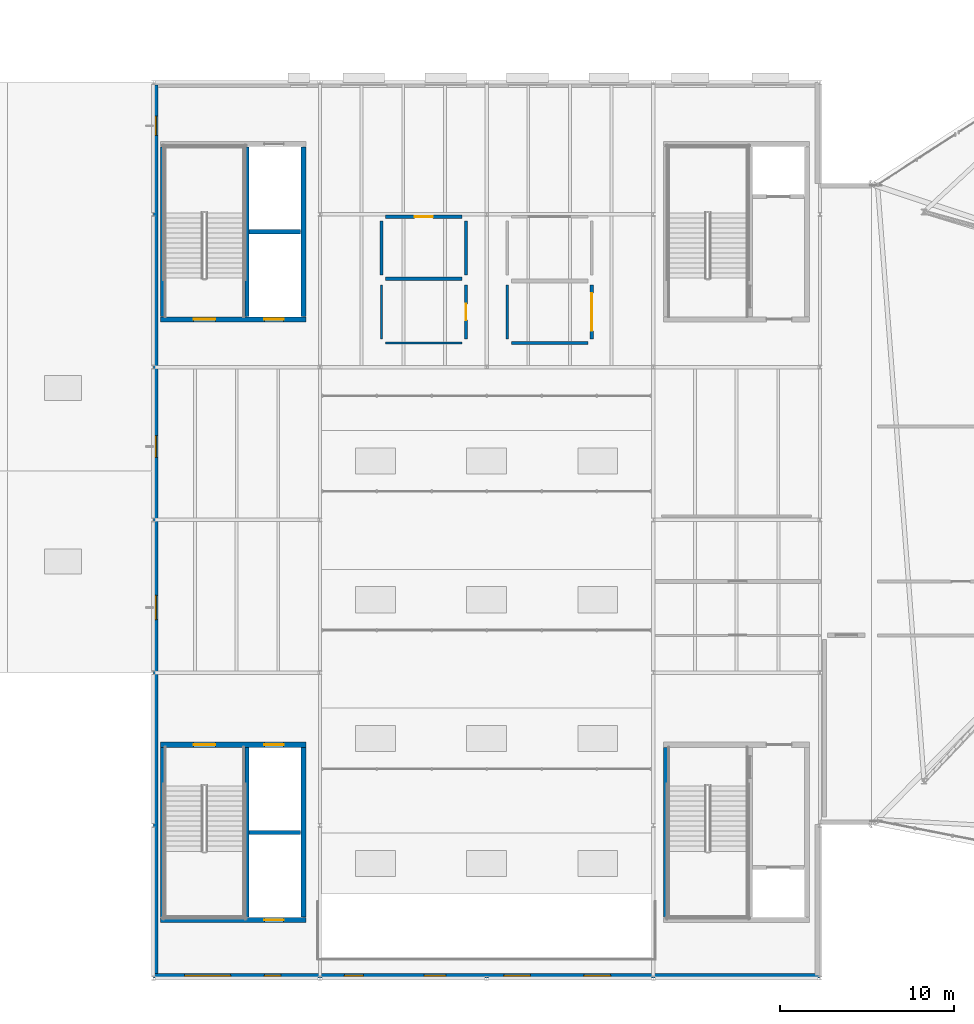
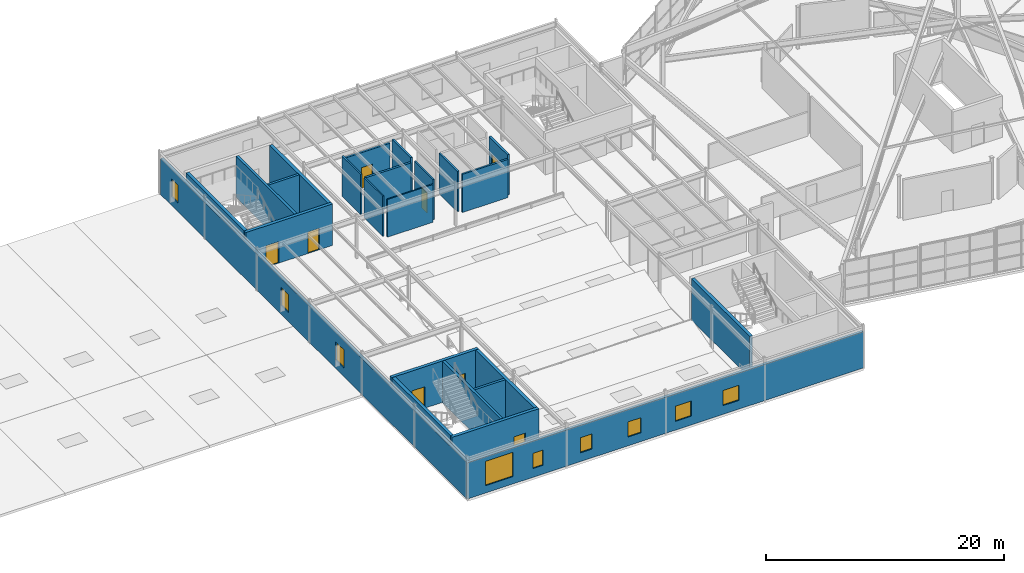
# One storey, part 41 of 50: 24 walls, 9 windows, 8 doors, 17 openings.
"""IFC4 building model written with IfcOpenShell, lengths in metres."""

from ifc_helpers import new_model, si_unit, direction, frame, frame_2d, origin, place, context, subcontext, project, spatial, rectangle, extrude, material, layer, layer_set, type_object, element, fill, save


model = new_model("IFC4")

# Units and contexts
model_context = context("Model", 3, precision=1e-05, world=origin(), true_north=direction((0.0, 1.0)))
body_context = subcontext(model_context, "Body", "Model", "MODEL_VIEW")
ifc_project = project(units=[si_unit("LENGTHUNIT", "METRE"), si_unit("AREAUNIT", "SQUARE_METRE"), si_unit("VOLUMEUNIT", "CUBIC_METRE"), si_unit("PLANEANGLEUNIT", "RADIAN"), si_unit("MASSUNIT", "GRAM", prefix="KILO")], contexts=[model_context])

# Site, building, storey
site_placement = place(None, origin())
site = spatial("IfcSite", under=ifc_project, at=site_placement, CompositionType="ELEMENT")
building_placement = place(site_placement, origin())
building = spatial("IfcBuilding", under=site, at=building_placement, Name="Sarnbrook Museum", CompositionType="ELEMENT")
storey_placement = place(building_placement, frame((0.0, 0.0, 28.10009765625)))
storey = spatial("IfcBuildingStorey", under=building, at=storey_placement, Name="L05", CompositionType="ELEMENT", Elevation=28.10009765625)

# Wall
ifc_material_1 = material(Name="Concrete N50 (AS 3600, f'c = 50 MPa)", Category="concrete")
ifc_layer_1 = layer(ifc_material_1, 0.300048828125)
ifc_layer_set_1 = layer_set([ifc_layer_1], Name="Concrete N50 (AS 3600, f'c = 50 MPa)")
wall_type_1 = type_object("IfcWallType", Name="CoreWall_CWRC", PredefinedType="SHEAR", material=ifc_layer_set_1)
wall_1_placement = place(storey_placement, frame((110.35009765625, 70.090087890625, 0.0), z_axis=(0.0, 0.0, 1.0), x_axis=(0.0, -1.0, 0.0)))
element("IfcWall", 1, at=wall_1_placement, inside=storey, type_object=wall_type_1, Name="Core C1 Shear Wall W L05", PredefinedType="SHEAR", context=body_context, shape_type="SweptSolid", body=[
    extrude(rectangle(XDim=9.780029296875, YDim=0.300048828125, at=frame_2d((4.89013671875, 0.0))), origin(), (0.0, 0.0, 1.0), 4.244873046875),
])

# Wall, opening, door
wall_2_placement = place(storey_placement, frame((81.199951171875, 60.14990234375, 0.0), z_axis=(0.0, 0.0, 1.0), x_axis=(1.0, 0.0, 0.0)))
wall_2 = element("IfcWall", 2, at=wall_2_placement, inside=storey, type_object=wall_type_1, Name="Core C3 Shear Wall S L05", PredefinedType="SHEAR", context=body_context, shape_type="SweptSolid", body=[
    extrude(rectangle(XDim=8.400146484375, YDim=0.300048828125, at=frame_2d((4.2001953125, 0.0))), origin(), (0.0, 0.0, 1.0), 4.244873046875),
])
opening_1_placement = place(wall_2_placement, frame((6.0, 0.0, 0.0)))
opening_1 = element("IfcOpeningElement", 3, at=opening_1_placement, cuts=wall_2, Name="Opening LD-PL1-L05", PredefinedType="OPENING", context=body_context, shape_type="SweptSolid", body=[
    extrude(rectangle(XDim=1.10009765625, YDim=2.199951171875, at=frame_2d((0.550048828125, 1.10009765625))), frame((0.0, 0.16015625, 0.0), z_axis=(0.0, -1.0, 0.0), x_axis=(1.0, 0.0, 0.0)), (0.0, 0.0, 1.0), 0.320068359375),
])
ifc_material_2 = material(Name="Brushed Stainless Steel Grade 316", Category="steel")
door_type_1 = type_object("IfcDoorType", Name="LiftDoor_Pax110", OperationType="DOUBLE_DOOR_SLIDING", PredefinedType="DOOR", material=ifc_material_2)
door_1_placement = place(opening_1_placement, origin())
door_1 = element("IfcDoor", 4, at=door_1_placement, inside=storey, type_object=door_type_1, Name="Lift Landing Sliding Door LD-PL1-L05", OperationType="DOUBLE_DOOR_SLIDING", OverallHeight=2.199951171875, OverallWidth=1.10009765625, PredefinedType="DOOR", context=body_context, shape_type="SweptSolid", body=[
    extrude(rectangle(XDim=1.10009765625, YDim=2.199951171875, at=frame_2d((0.550048828125, 1.10009765625))), frame((0.0, 0.02490234375, 0.0), z_axis=(0.0, -1.0, 0.0), x_axis=(1.0, 0.0, 0.0)), (0.0, 0.0, 1.0), 0.050048828125),
])
fill(opening_1, door_1)

# Wall, openings, doors
wall_3_placement = place(storey_placement, frame((89.60009765625, 70.25, 0.0), z_axis=(0.0, 0.0, 1.0), x_axis=(-1.0, 0.0, 0.0)))
wall_3 = element("IfcWall", 5, at=wall_3_placement, inside=storey, type_object=wall_type_1, Name="Core C3 Shear Wall N L05", PredefinedType="SHEAR", context=body_context, shape_type="SweptSolid", body=[
    extrude(rectangle(XDim=8.400146484375, YDim=0.300048828125, at=frame_2d((4.2001953125, 0.0))), origin(), (0.0, 0.0, 1.0), 4.244873046875),
])
opening_2_placement = place(wall_3_placement, frame((5.22509765625, 0.0, 0.0)))
opening_2 = element("IfcOpeningElement", 6, at=opening_2_placement, cuts=wall_3, Name="Opening D-ST-ST3-L05", PredefinedType="OPENING", context=body_context, shape_type="SweptSolid", body=[
    extrude(rectangle(XDim=1.25, YDim=2.199951171875, at=frame_2d((0.625, 1.10009765625))), frame((0.0, 0.16015625, 0.0), z_axis=(0.0, -1.0, 0.0), x_axis=(1.0, 0.0, 0.0)), (0.0, 0.0, 1.0), 0.320068359375),
])
opening_3_placement = place(wall_3_placement, frame((1.300048828125, 0.0, 0.0)))
opening_3 = element("IfcOpeningElement", 7, at=opening_3_placement, cuts=wall_3, Name="Opening LD-PL2-L05", PredefinedType="OPENING", context=body_context, shape_type="SweptSolid", body=[
    extrude(rectangle(XDim=1.10009765625, YDim=2.199951171875, at=frame_2d((0.550048828125, 1.10009765625))), frame((0.0, 0.16015625, 0.0), z_axis=(0.0, -1.0, 0.0), x_axis=(1.0, 0.0, 0.0)), (0.0, 0.0, 1.0), 0.320068359375),
])
ifc_material_3 = material(Name="Tasmanian Oak Acoustic Timber", Category="wood")
door_type_2 = type_object("IfcDoorType", Name="FireDoor_FD120", OperationType="NOTDEFINED", PredefinedType="DOOR", material=ifc_material_3)
door_2_placement = place(opening_2_placement, origin())
door_2 = element("IfcDoor", 8, at=door_2_placement, inside=storey, type_object=door_type_2, Name="Exit Stair ST3 Fire Door L05", OperationType="SINGLE_SWING_LEFT", OverallHeight=2.199951171875, OverallWidth=1.25, PredefinedType="DOOR", context=body_context, shape_type="SweptSolid", body=[
    extrude(rectangle(XDim=1.25, YDim=2.199951171875, at=frame_2d((0.625, 1.10009765625))), frame((0.0, 0.02490234375, 0.0), z_axis=(0.0, -1.0, 0.0), x_axis=(1.0, 0.0, 0.0)), (0.0, 0.0, 1.0), 0.050048828125),
])
fill(opening_2, door_2)
door_3_placement = place(opening_3_placement, origin())
door_3 = element("IfcDoor", 9, at=door_3_placement, inside=storey, type_object=door_type_1, Name="Lift Landing Sliding Door LD-PL2-L05", OperationType="DOUBLE_DOOR_SLIDING", OverallHeight=2.199951171875, OverallWidth=1.10009765625, PredefinedType="DOOR", context=body_context, shape_type="SweptSolid", body=[
    extrude(rectangle(XDim=1.10009765625, YDim=2.199951171875, at=frame_2d((0.550048828125, 1.10009765625))), frame((0.0, 0.02490234375, 0.0), z_axis=(0.0, -1.0, 0.0), x_axis=(1.0, 0.0, 0.0)), (0.0, 0.0, 1.0), 0.050048828125),
])
fill(opening_3, door_3)

# Walls
for number, where, z_axis, x_axis, name in (
    (10, (89.449951171875, 60.31005859375, 0.0), (0.0, 0.0, 1.0), (0.0, 1.0, 0.0), "Core C3 Shear Wall E L05"),
    (11, (81.35009765625, 70.090087890625, 0.0), (0.0, 0.0, 1.0), (0.0, -1.0, 0.0), "Core C3 Shear Wall W L05"),
):
    element("IfcWall", number, at=place(storey_placement, frame(where, z_axis=z_axis, x_axis=x_axis)), inside=storey, type_object=wall_type_1, Name=name, PredefinedType="SHEAR", context=body_context, shape_type="SweptSolid", body=[
        extrude(rectangle(XDim=9.780029296875, YDim=0.300048828125, at=frame_2d((4.89013671875, 0.0))), origin(), (0.0, 0.0, 1.0), 4.244873046875),
    ])

# Wall, openings, doors
wall_4_placement = place(storey_placement, frame((81.199951171875, 94.75, 0.0), z_axis=(0.0, 0.0, 1.0), x_axis=(1.0, 0.0, 0.0)))
wall_4 = element("IfcWall", 12, at=wall_4_placement, inside=storey, type_object=wall_type_1, Name="Core C4 Shear Wall S L05", PredefinedType="SHEAR", context=body_context, shape_type="SweptSolid", body=[
    extrude(rectangle(XDim=8.400146484375, YDim=0.300048828125, at=frame_2d((4.2001953125, 0.0))), origin(), (0.0, 0.0, 1.0), 4.244873046875),
])
opening_4_placement = place(wall_4_placement, frame((1.925048828125, 0.0, 0.0)))
opening_4 = element("IfcOpeningElement", 13, at=opening_4_placement, cuts=wall_4, Name="Opening D-ST-ST4-L05", PredefinedType="OPENING", context=body_context, shape_type="SweptSolid", body=[
    extrude(rectangle(XDim=1.25, YDim=2.199951171875, at=frame_2d((0.625, 1.10009765625))), frame((0.0, 0.16015625, 0.0), z_axis=(0.0, -1.0, 0.0), x_axis=(1.0, 0.0, 0.0)), (0.0, 0.0, 1.0), 0.320068359375),
])
opening_5_placement = place(wall_4_placement, frame((6.0, 0.0, 0.0)))
opening_5 = element("IfcOpeningElement", 14, at=opening_5_placement, cuts=wall_4, Name="Opening LD-PL3-L05", PredefinedType="OPENING", context=body_context, shape_type="SweptSolid", body=[
    extrude(rectangle(XDim=1.10009765625, YDim=2.199951171875, at=frame_2d((0.550048828125, 1.10009765625))), frame((0.0, 0.16015625, 0.0), z_axis=(0.0, -1.0, 0.0), x_axis=(1.0, 0.0, 0.0)), (0.0, 0.0, 1.0), 0.320068359375),
])
door_4_placement = place(opening_4_placement, origin())
door_4 = element("IfcDoor", 15, at=door_4_placement, inside=storey, type_object=door_type_2, Name="Exit Stair ST4 Fire Door L05", OperationType="SINGLE_SWING_RIGHT", OverallHeight=2.199951171875, OverallWidth=1.25, PredefinedType="DOOR", context=body_context, shape_type="SweptSolid", body=[
    extrude(rectangle(XDim=1.25, YDim=2.199951171875, at=frame_2d((0.625, 1.10009765625))), frame((0.0, 0.02490234375, 0.0), z_axis=(0.0, -1.0, 0.0), x_axis=(1.0, 0.0, 0.0)), (0.0, 0.0, 1.0), 0.050048828125),
])
fill(opening_4, door_4)
door_5_placement = place(opening_5_placement, origin())
door_5 = element("IfcDoor", 16, at=door_5_placement, inside=storey, type_object=door_type_1, Name="Lift Landing Sliding Door LD-PL3-L05", OperationType="DOUBLE_DOOR_SLIDING", OverallHeight=2.199951171875, OverallWidth=1.10009765625, PredefinedType="DOOR", context=body_context, shape_type="SweptSolid", body=[
    extrude(rectangle(XDim=1.10009765625, YDim=2.199951171875, at=frame_2d((0.550048828125, 1.10009765625))), frame((0.0, 0.02490234375, 0.0), z_axis=(0.0, -1.0, 0.0), x_axis=(1.0, 0.0, 0.0)), (0.0, 0.0, 1.0), 0.050048828125),
])
fill(opening_5, door_5)

# Walls
for number, where, z_axis, x_axis, name in (
    (17, (89.449951171875, 94.909912109375, 0.0), (0.0, 0.0, 1.0), (0.0, 1.0, 0.0), "Core C4 Shear Wall E L05"),
    (18, (81.35009765625, 104.68994140625, 0.0), (0.0, 0.0, 1.0), (0.0, -1.0, 0.0), "Core C4 Shear Wall W L05"),
):
    element("IfcWall", number, at=place(storey_placement, frame(where, z_axis=z_axis, x_axis=x_axis)), inside=storey, type_object=wall_type_1, Name=name, PredefinedType="SHEAR", context=body_context, shape_type="SweptSolid", body=[
        extrude(rectangle(XDim=9.780029296875, YDim=0.300048828125, at=frame_2d((4.89013671875, 0.0))), origin(), (0.0, 0.0, 1.0), 4.244873046875),
    ])
ifc_material_4 = material(Name="Fire-Rated Acoustic Gypsum Plasterboard")
ifc_layer_2 = layer(ifc_material_4, 0.1201171875)
ifc_layer_set_2 = layer_set([ifc_layer_2], Name="Fire-Rated Acoustic Gypsum Plasterboard")
wall_type_2 = type_object("IfcWallType", Name="PartWall_P120", PredefinedType="PARTITIONING", material=ifc_layer_set_2)
wall_5_placement = place(storey_placement, frame((93.93994140625, 93.6201171875, 0.0), z_axis=(0.0, 0.0, 1.0), x_axis=(0.0, 1.0, 0.0)))
element("IfcWall", 19, at=wall_5_placement, inside=storey, type_object=wall_type_2, Name="Interior Partition Wall L05-0818", PredefinedType="PARTITIONING", context=body_context, shape_type="SweptSolid", body=[
    extrude(rectangle(XDim=3.10986328125, YDim=0.1201171875, at=frame_2d((1.554931640625, 0.0))), origin(), (0.0, 0.0, 1.0), 4.1298828125),
])
ifc_layer_3 = layer(ifc_material_4, 0.135009765625)
ifc_layer_set_3 = layer_set([ifc_layer_3], Name="Fire-Rated Acoustic Gypsum Plasterboard")
wall_type_3 = type_object("IfcWallType", Name="PartWall_P135", PredefinedType="PARTITIONING", material=ifc_layer_set_3)
wall_6_placement = place(storey_placement, frame((98.580078125, 93.389892578125, 0.0), z_axis=(0.0, 0.0, 1.0), x_axis=(-1.0, 0.0, 0.0)))
element("IfcWall", 20, at=wall_6_placement, inside=storey, type_object=wall_type_3, Name="Interior Partition Wall L05-0817", PredefinedType="PARTITIONING", context=body_context, shape_type="SweptSolid", body=[
    extrude(rectangle(XDim=4.41015625, YDim=0.135009765625, at=frame_2d((2.205078125, 0.0))), origin(), (0.0, 0.0, 1.0), 3.864013671875),
])

# Wall, opening, door
ifc_layer_4 = layer(ifc_material_4, 0.14990234375)
ifc_layer_set_4 = layer_set([ifc_layer_4], Name="Fire-Rated Acoustic Gypsum Plasterboard")
wall_type_4 = type_object("IfcWallType", Name="PartWall_P150", PredefinedType="PARTITIONING", material=ifc_layer_set_4)
wall_7_placement = place(storey_placement, frame((98.81005859375, 96.72998046875, 0.0), z_axis=(0.0, 0.0, 1.0), x_axis=(0.0, -1.0, 0.0)))
wall_7 = element("IfcWall", 21, at=wall_7_placement, inside=storey, type_object=wall_type_4, Name="Interior Partition Wall L05-0816", PredefinedType="PARTITIONING", context=body_context, shape_type="SweptSolid", body=[
    extrude(rectangle(XDim=3.10986328125, YDim=0.14990234375, at=frame_2d((1.554931640625, 0.0))), origin(), (0.0, 0.0, 1.0), 4.1298828125),
])
opening_6_placement = place(wall_7_placement, frame((1.0849609375, 0.0, 0.0)))
opening_6 = element("IfcOpeningElement", 22, at=opening_6_placement, cuts=wall_7, Name="Opening D-L05-230", PredefinedType="OPENING", context=body_context, shape_type="SweptSolid", body=[
    extrude(rectangle(XDim=0.93994140625, YDim=2.080078125, at=frame_2d((0.469970703125, 1.0400390625))), frame((0.0, 0.0849609375, 0.0), z_axis=(0.0, -1.0, 0.0), x_axis=(1.0, 0.0, 0.0)), (0.0, 0.0, 1.0), 0.169921875),
])
door_type_3 = type_object("IfcDoorType", Name="IntDoor_DT02", OperationType="NOTDEFINED", PredefinedType="DOOR", material=ifc_material_3)
door_6_placement = place(opening_6_placement, origin())
door_6 = element("IfcDoor", 23, at=door_6_placement, inside=storey, type_object=door_type_3, Name="Curatorial Staff Toilet L05 Door D-L05-230", OperationType="SINGLE_SWING_RIGHT", OverallHeight=2.080078125, OverallWidth=0.93994140625, PredefinedType="DOOR", context=body_context, shape_type="SweptSolid", body=[
    extrude(rectangle(XDim=0.93994140625, YDim=2.080078125, at=frame_2d((0.469970703125, 1.0400390625))), frame((0.0, 0.02490234375, 0.0), z_axis=(0.0, -1.0, 0.0), x_axis=(1.0, 0.0, 0.0)), (0.0, 0.0, 1.0), 0.050048828125),
])
fill(opening_6, door_6)

# Walls
ifc_layer_5 = layer(ifc_material_4, 0.1650390625)
ifc_layer_set_5 = layer_set([ifc_layer_5], Name="Fire-Rated Acoustic Gypsum Plasterboard")
wall_type_5 = type_object("IfcWallType", Name="PartWall_P165", PredefinedType="PARTITIONING", material=ifc_layer_set_5)
for number, where, z_axis, x_axis, name in (
    (24, (101.18994140625, 93.6201171875, 0.0), (0.0, 0.0, 1.0), (0.0, 1.0, 0.0), "Interior Partition Wall L05-0808"),
    (25, (93.93994140625, 97.320068359375, 0.0), (0.0, 0.0, 1.0), (0.0, 1.0, 0.0), "Interior Partition Wall L05-0815"),
):
    element("IfcWall", number, at=place(storey_placement, frame(where, z_axis=z_axis, x_axis=x_axis)), inside=storey, type_object=wall_type_5, Name=name, PredefinedType="PARTITIONING", context=body_context, shape_type="SweptSolid", body=[
        extrude(rectangle(XDim=3.10986328125, YDim=0.1650390625, at=frame_2d((1.554931640625, 0.0))), origin(), (0.0, 0.0, 1.0), 4.1298828125),
    ])
ifc_layer_6 = layer(ifc_material_4, 0.179931640625)
ifc_layer_set_6 = layer_set([ifc_layer_6], Name="Fire-Rated Acoustic Gypsum Plasterboard")
wall_type_6 = type_object("IfcWallType", Name="PartWall_P180", PredefinedType="PARTITIONING", material=ifc_layer_set_6)
wall_8_placement = place(storey_placement, frame((105.830078125, 93.389892578125, 0.0), z_axis=(0.0, 0.0, 1.0), x_axis=(-1.0, 0.0, 0.0)))
element("IfcWall", 26, at=wall_8_placement, inside=storey, type_object=wall_type_6, Name="Interior Partition Wall L05-0807", PredefinedType="PARTITIONING", context=body_context, shape_type="SweptSolid", body=[
    extrude(rectangle(XDim=4.41015625, YDim=0.179931640625, at=frame_2d((2.205078125, 0.0))), origin(), (0.0, 0.0, 1.0), 3.912841796875),
])
wall_9_placement = place(storey_placement, frame((98.81005859375, 100.429931640625, 0.0), z_axis=(0.0, 0.0, 1.0), x_axis=(0.0, -1.0, 0.0)))
element("IfcWall", 27, at=wall_9_placement, inside=storey, type_object=wall_type_6, Name="Interior Partition Wall L05-0814", PredefinedType="PARTITIONING", context=body_context, shape_type="SweptSolid", body=[
    extrude(rectangle(XDim=3.10986328125, YDim=0.179931640625, at=frame_2d((1.554931640625, 0.0))), origin(), (0.0, 0.0, 1.0), 4.1298828125),
])

# Wall, opening, door
ifc_layer_7 = layer(ifc_material_4, 0.195068359375)
ifc_layer_set_7 = layer_set([ifc_layer_7], Name="Fire-Rated Acoustic Gypsum Plasterboard")
wall_type_7 = type_object("IfcWallType", Name="PartWall_P195", PredefinedType="PARTITIONING", material=ifc_layer_set_7)
wall_10_placement = place(storey_placement, frame((106.06005859375, 96.72998046875, 0.0), z_axis=(0.0, 0.0, 1.0), x_axis=(0.0, -1.0, 0.0)))
wall_10 = element("IfcWall", 28, at=wall_10_placement, inside=storey, type_object=wall_type_7, Name="Interior Partition Wall L05-0806", PredefinedType="PARTITIONING", context=body_context, shape_type="SweptSolid", body=[
    extrude(rectangle(XDim=3.10986328125, YDim=0.195068359375, at=frame_2d((1.554931640625, 0.0))), origin(), (0.0, 0.0, 1.0), 4.1298828125),
])
opening_7_placement = place(wall_10_placement, frame((0.465087890625, 0.0, 0.0)))
opening_7 = element("IfcOpeningElement", 29, at=opening_7_placement, cuts=wall_10, Name="Opening D-L05-227", PredefinedType="OPENING", context=body_context, shape_type="SweptSolid", body=[
    extrude(rectangle(XDim=2.179931640625, YDim=2.580078125, at=frame_2d((1.08984375, 1.2900390625))), frame((0.0, 0.107421875, 0.0), z_axis=(0.0, -1.0, 0.0), x_axis=(1.0, 0.0, 0.0)), (0.0, 0.0, 1.0), 0.215087890625),
])
door_type_4 = type_object("IfcDoorType", Name="IntDoor_DT37", OperationType="NOTDEFINED", PredefinedType="DOOR", material=ifc_material_3)
door_7_placement = place(opening_7_placement, frame((2.179931640625, 0.0, 0.0), z_axis=(0.0, 0.0, 1.0), x_axis=(-1.0, 0.0, 0.0)))
door_7 = element("IfcDoor", 30, at=door_7_placement, inside=storey, type_object=door_type_4, Name="Public Male Toilets L05 Door D-L05-227", OperationType="DOUBLE_DOOR_SINGLE_SWING", OverallHeight=2.580078125, OverallWidth=2.179931640625, PredefinedType="DOOR", context=body_context, shape_type="SweptSolid", body=[
    extrude(rectangle(XDim=2.179931640625, YDim=2.580078125, at=frame_2d((1.08984375, 1.2900390625))), frame((0.0, 0.02490234375, 0.0), z_axis=(0.0, -1.0, 0.0), x_axis=(1.0, 0.0, 0.0)), (0.0, 0.0, 1.0), 0.050048828125),
])
fill(opening_7, door_7)

wall_11_placement = place(storey_placement, frame((94.169921875, 100.659912109375, 0.0), z_axis=(0.0, 0.0, 1.0), x_axis=(1.0, 0.0, 0.0)))
wall_11 = element("IfcWall", 31, at=wall_11_placement, inside=storey, type_object=wall_type_7, Name="Interior Partition Wall L05-0813", PredefinedType="PARTITIONING", context=body_context, shape_type="SweptSolid", body=[
    extrude(rectangle(XDim=4.41015625, YDim=0.195068359375, at=frame_2d((2.205078125, 0.0))), origin(), (0.0, 0.0, 1.0), 3.68701171875),
])
opening_8_placement = place(wall_11_placement, frame((1.679931640625, 0.0, 0.0)))
opening_8 = element("IfcOpeningElement", 32, at=opening_8_placement, cuts=wall_11, Name="Opening D-L05-229", PredefinedType="OPENING", context=body_context, shape_type="SweptSolid", body=[
    extrude(rectangle(XDim=1.050048828125, YDim=2.14990234375, at=frame_2d((0.52490234375, 1.074951171875))), frame((0.0, 0.107421875, 0.0), z_axis=(0.0, -1.0, 0.0), x_axis=(1.0, 0.0, 0.0)), (0.0, 0.0, 1.0), 0.215087890625),
])
door_type_5 = type_object("IfcDoorType", Name="FireDoor_FD60", OperationType="NOTDEFINED", PredefinedType="DOOR", material=ifc_material_3)
door_8_placement = place(opening_8_placement, frame((1.050048828125, 0.0, 0.0), z_axis=(0.0, 0.0, 1.0), x_axis=(-1.0, 0.0, 0.0)))
door_8 = element("IfcDoor", 33, at=door_8_placement, inside=storey, type_object=door_type_5, Name="Accessible Unisex Toilet L05 Door D-L05-229", OperationType="SINGLE_SWING_LEFT", OverallHeight=2.14990234375, OverallWidth=1.050048828125, PredefinedType="DOOR", context=body_context, shape_type="SweptSolid", body=[
    extrude(rectangle(XDim=1.050048828125, YDim=2.14990234375, at=frame_2d((0.52490234375, 1.074951171875))), frame((0.0, 0.02490234375, 0.0), z_axis=(0.0, -1.0, 0.0), x_axis=(1.0, 0.0, 0.0)), (0.0, 0.0, 1.0), 0.050048828125),
])
fill(opening_8, door_8)

# Walls
ifc_layer_8 = layer(ifc_material_4, 0.2099609375)
ifc_layer_set_8 = layer_set([ifc_layer_8], Name="Fire-Rated Acoustic Gypsum Plasterboard")
wall_type_8 = type_object("IfcWallType", Name="PartWall_P210", PredefinedType="PARTITIONING", material=ifc_layer_set_8)
wall_12_placement = place(storey_placement, frame((98.580078125, 97.090087890625, 0.0), z_axis=(0.0, 0.0, 1.0), x_axis=(-1.0, 0.0, 0.0)))
element("IfcWall", 34, at=wall_12_placement, inside=storey, type_object=wall_type_8, Name="Interior Partition Wall L05-0812", PredefinedType="PARTITIONING", context=body_context, shape_type="SweptSolid", body=[
    extrude(rectangle(XDim=4.41015625, YDim=0.2099609375, at=frame_2d((2.205078125, 0.0))), origin(), (0.0, 0.0, 1.0), 3.864013671875),
])
ifc_material_5 = material(Name="Concrete N40 (AS 3600, f'c = 40 MPa)", Category="concrete")
ifc_layer_9 = layer(ifc_material_5, 0.239990234375)
ifc_layer_set_9 = layer_set([ifc_layer_9], Name="Concrete N40 (AS 3600, f'c = 40 MPa)")
wall_type_9 = type_object("IfcWallType", Name="ShaftWall_SWRC", PredefinedType="SOLIDWALL", material=ifc_layer_set_9)
wall_13_placement = place(storey_placement, frame((86.18994140625, 60.31005859375, 0.0), z_axis=(0.0, 0.0, 1.0), x_axis=(0.0, 1.0, 0.0)))
element("IfcWall", 35, at=wall_13_placement, inside=storey, type_object=wall_type_9, Name="Stairwell ST3 Fire Shaft Wall L05", PredefinedType="SOLIDWALL", context=body_context, shape_type="SweptSolid", body=[
    extrude(rectangle(XDim=9.780029296875, YDim=0.239990234375, at=frame_2d((4.89013671875, 0.0))), origin(), (0.0, 0.0, 1.0), 4.244873046875),
])
wall_14_placement = place(storey_placement, frame((86.320068359375, 65.199951171875, 0.0), z_axis=(0.0, 0.0, 1.0), x_axis=(1.0, 0.0, 0.0)))
element("IfcWall", 36, at=wall_14_placement, inside=storey, type_object=wall_type_9, Name="Core C3 Twin Lift Divider Wall L05", PredefinedType="SOLIDWALL", context=body_context, shape_type="SweptSolid", body=[
    extrude(rectangle(XDim=2.969970703125, YDim=0.239990234375, at=frame_2d((1.48486328125, 0.0))), origin(), (0.0, 0.0, 1.0), 4.244873046875),
])
wall_15_placement = place(storey_placement, frame((86.18994140625, 94.909912109375, 0.0), z_axis=(0.0, 0.0, 1.0), x_axis=(0.0, 1.0, 0.0)))
element("IfcWall", 37, at=wall_15_placement, inside=storey, type_object=wall_type_9, Name="Stairwell ST4 Fire Shaft Wall L05", PredefinedType="SOLIDWALL", context=body_context, shape_type="SweptSolid", body=[
    extrude(rectangle(XDim=9.780029296875, YDim=0.239990234375, at=frame_2d((4.89013671875, 0.0))), origin(), (0.0, 0.0, 1.0), 4.244873046875),
])
wall_16_placement = place(storey_placement, frame((86.320068359375, 99.800048828125, 0.0), z_axis=(0.0, 0.0, 1.0), x_axis=(1.0, 0.0, 0.0)))
element("IfcWall", 38, at=wall_16_placement, inside=storey, type_object=wall_type_9, Name="Core C4 Twin Lift Divider Wall L05", PredefinedType="SOLIDWALL", context=body_context, shape_type="SweptSolid", body=[
    extrude(rectangle(XDim=2.969970703125, YDim=0.239990234375, at=frame_2d((1.48486328125, 0.0))), origin(), (0.0, 0.0, 1.0), 4.244873046875),
])

# Wall, openings, windows
ifc_material_6 = material(Name="Victorian Bluestone Ashlar Masonry", Category="masonry")
ifc_layer_10 = layer(ifc_material_6, 0.280029296875)
ifc_layer_set_10 = layer_set([ifc_layer_10], Name="Victorian Bluestone Ashlar Masonry")
wall_type_10 = type_object("IfcWallType", Name="Wall_LimestoneClad280", PredefinedType="STANDARD", material=ifc_layer_set_10)
wall_17_placement = place(storey_placement, frame((80.800048828125, 56.93994140625, 0.0), z_axis=(0.0, 0.0, 1.0), x_axis=(1.0, 0.0, 0.0)))
wall_17 = element("IfcWall", 39, at=wall_17_placement, inside=storey, type_object=wall_type_10, Name="Classical Sandstone Facade Wall L05-01", PredefinedType="STANDARD", context=body_context, shape_type="SweptSolid", body=[
    extrude(rectangle(XDim=38.39990234375, YDim=0.280029296875, at=frame_2d((19.199951171875, 0.0))), origin(), (0.0, 0.0, 1.0), 3.701904296875),
])
opening_9_placement = place(wall_17_placement, frame((1.800048828125, 0.0, 0.75)))
opening_9 = element("IfcOpeningElement", 40, at=opening_9_placement, cuts=wall_17, Name="Opening WT-44", PredefinedType="OPENING", context=body_context, shape_type="SweptSolid", body=[
    extrude(rectangle(XDim=2.64990234375, YDim=2.5, at=frame_2d((1.324951171875, 1.25))), frame((0.0, 0.14990234375, 0.0), z_axis=(0.0, -1.0, 0.0), x_axis=(1.0, 0.0, 0.0)), (0.0, 0.0, 1.0), 0.300048828125),
])
opening_10_placement = place(wall_17_placement, frame((6.39990234375, 0.0, 0.89990234375)))
opening_10 = element("IfcOpeningElement", 41, at=opening_10_placement, cuts=wall_17, Name="Opening WT-01", PredefinedType="OPENING", context=body_context, shape_type="SweptSolid", body=[
    extrude(rectangle(XDim=0.949951171875, YDim=1.550048828125, at=frame_2d((0.47509765625, 0.77490234375))), frame((0.0, 0.14990234375, 0.0), z_axis=(0.0, -1.0, 0.0), x_axis=(1.0, 0.0, 0.0)), (0.0, 0.0, 1.0), 0.300048828125),
])
opening_11_placement = place(wall_17_placement, frame((11.0, 0.0, 0.89990234375)))
opening_11 = element("IfcOpeningElement", 42, at=opening_11_placement, cuts=wall_17, Name="Opening WT-02", PredefinedType="OPENING", context=body_context, shape_type="SweptSolid", body=[
    extrude(rectangle(XDim=1.10009765625, YDim=1.550048828125, at=frame_2d((0.550048828125, 0.77490234375))), frame((0.0, 0.14990234375, 0.0), z_axis=(0.0, -1.0, 0.0), x_axis=(1.0, 0.0, 0.0)), (0.0, 0.0, 1.0), 0.300048828125),
])
opening_12_placement = place(wall_17_placement, frame((15.60009765625, 0.0, 0.89990234375)))
opening_12 = element("IfcOpeningElement", 43, at=opening_12_placement, cuts=wall_17, Name="Opening WT-03", PredefinedType="OPENING", context=body_context, shape_type="SweptSolid", body=[
    extrude(rectangle(XDim=1.25, YDim=1.550048828125, at=frame_2d((0.625, 0.77490234375))), frame((0.0, 0.14990234375, 0.0), z_axis=(0.0, -1.0, 0.0), x_axis=(1.0, 0.0, 0.0)), (0.0, 0.0, 1.0), 0.300048828125),
])
opening_13_placement = place(wall_17_placement, frame((20.199951171875, 0.0, 0.89990234375)))
opening_13 = element("IfcOpeningElement", 44, at=opening_13_placement, cuts=wall_17, Name="Opening WT-04", PredefinedType="OPENING", context=body_context, shape_type="SweptSolid", body=[
    extrude(rectangle(XDim=1.52001953125, YDim=1.550048828125, at=frame_2d((0.760009765625, 0.77490234375))), frame((0.0, 0.14990234375, 0.0), z_axis=(0.0, -1.0, 0.0), x_axis=(1.0, 0.0, 0.0)), (0.0, 0.0, 1.0), 0.300048828125),
])
opening_14_placement = place(wall_17_placement, frame((24.800048828125, 0.0, 0.89990234375)))
opening_14 = element("IfcOpeningElement", 45, at=opening_14_placement, cuts=wall_17, Name="Opening WT-05", PredefinedType="OPENING", context=body_context, shape_type="SweptSolid", body=[
    extrude(rectangle(XDim=1.550048828125, YDim=1.550048828125, at=frame_2d((0.77490234375, 0.77490234375))), frame((0.0, 0.14990234375, 0.0), z_axis=(0.0, -1.0, 0.0), x_axis=(1.0, 0.0, 0.0)), (0.0, 0.0, 1.0), 0.300048828125),
])
ifc_material_7 = material(Name="Double-Glazed Low-Iron Laminated Safety Glass", Category="glass")
window_type_1 = type_object("IfcWindowType", Name="Window_Classical_WT01", PartitioningType="SINGLE_PANEL", PredefinedType="WINDOW", material=ifc_material_7)
window_1_placement = place(opening_10_placement, origin())
window_1 = element("IfcWindow", 46, at=window_1_placement, inside=storey, type_object=window_type_1, Name="Classical Bronze Casement Window WIN:L05:0133", OverallHeight=1.550048828125, OverallWidth=0.949951171875, PartitioningType="SINGLE_PANEL", PredefinedType="WINDOW", context=body_context, shape_type="SweptSolid", body=[
    extrude(rectangle(XDim=0.949951171875, YDim=1.550048828125, at=frame_2d((0.47509765625, 0.77490234375))), frame((0.0, 0.030029296875, 0.0), z_axis=(0.0, -1.0, 0.0), x_axis=(1.0, 0.0, 0.0)), (0.0, 0.0, 1.0), 0.06005859375),
])
fill(opening_10, window_1)
window_type_2 = type_object("IfcWindowType", Name="Window_Classical_WT02", PartitioningType="SINGLE_PANEL", PredefinedType="WINDOW", material=ifc_material_7)
window_2_placement = place(opening_11_placement, origin())
window_2 = element("IfcWindow", 47, at=window_2_placement, inside=storey, type_object=window_type_2, Name="Classical Bronze Casement Window WIN:L05:0134", OverallHeight=1.550048828125, OverallWidth=1.10009765625, PartitioningType="SINGLE_PANEL", PredefinedType="WINDOW", context=body_context, shape_type="SweptSolid", body=[
    extrude(rectangle(XDim=1.10009765625, YDim=1.550048828125, at=frame_2d((0.550048828125, 0.77490234375))), frame((0.0, 0.030029296875, 0.0), z_axis=(0.0, -1.0, 0.0), x_axis=(1.0, 0.0, 0.0)), (0.0, 0.0, 1.0), 0.06005859375),
])
fill(opening_11, window_2)
window_type_3 = type_object("IfcWindowType", Name="Window_Classical_WT03", PartitioningType="SINGLE_PANEL", PredefinedType="WINDOW", material=ifc_material_7)
window_3_placement = place(opening_12_placement, origin())
window_3 = element("IfcWindow", 48, at=window_3_placement, inside=storey, type_object=window_type_3, Name="Classical Bronze Casement Window WIN:L05:0135", OverallHeight=1.550048828125, OverallWidth=1.25, PartitioningType="SINGLE_PANEL", PredefinedType="WINDOW", context=body_context, shape_type="SweptSolid", body=[
    extrude(rectangle(XDim=1.25, YDim=1.550048828125, at=frame_2d((0.625, 0.77490234375))), frame((0.0, 0.030029296875, 0.0), z_axis=(0.0, -1.0, 0.0), x_axis=(1.0, 0.0, 0.0)), (0.0, 0.0, 1.0), 0.06005859375),
])
fill(opening_12, window_3)
window_type_4 = type_object("IfcWindowType", Name="Window_Classical_WT04", PartitioningType="SINGLE_PANEL", PredefinedType="WINDOW", material=ifc_material_7)
window_4_placement = place(opening_13_placement, origin())
window_4 = element("IfcWindow", 49, at=window_4_placement, inside=storey, type_object=window_type_4, Name="Classical Bronze Casement Window WIN:L05:0136", OverallHeight=1.550048828125, OverallWidth=1.52001953125, PartitioningType="SINGLE_PANEL", PredefinedType="WINDOW", context=body_context, shape_type="SweptSolid", body=[
    extrude(rectangle(XDim=1.52001953125, YDim=1.550048828125, at=frame_2d((0.760009765625, 0.77490234375))), frame((0.0, 0.030029296875, 0.0), z_axis=(0.0, -1.0, 0.0), x_axis=(1.0, 0.0, 0.0)), (0.0, 0.0, 1.0), 0.06005859375),
])
fill(opening_13, window_4)
window_type_5 = type_object("IfcWindowType", Name="Window_Classical_WT05", PartitioningType="SINGLE_PANEL", PredefinedType="WINDOW", material=ifc_material_7)
window_5_placement = place(opening_14_placement, origin())
window_5 = element("IfcWindow", 50, at=window_5_placement, inside=storey, type_object=window_type_5, Name="Classical Bronze Casement Window WIN:L05:0137", OverallHeight=1.550048828125, OverallWidth=1.550048828125, PartitioningType="SINGLE_PANEL", PredefinedType="WINDOW", context=body_context, shape_type="SweptSolid", body=[
    extrude(rectangle(XDim=1.550048828125, YDim=1.550048828125, at=frame_2d((0.77490234375, 0.77490234375))), frame((0.0, 0.030029296875, 0.0), z_axis=(0.0, -1.0, 0.0), x_axis=(1.0, 0.0, 0.0)), (0.0, 0.0, 1.0), 0.06005859375),
])
fill(opening_14, window_5)
window_type_6 = type_object("IfcWindowType", Name="Window_Classical_WT44", PartitioningType="SINGLE_PANEL", PredefinedType="WINDOW", material=ifc_material_7)
window_6_placement = place(opening_9_placement, origin())
window_6 = element("IfcWindow", 51, at=window_6_placement, inside=storey, type_object=window_type_6, Name="Classical Bronze Casement Window WIN:L05:0132", OverallHeight=2.5, OverallWidth=2.64990234375, PartitioningType="SINGLE_PANEL", PredefinedType="WINDOW", context=body_context, shape_type="SweptSolid", body=[
    extrude(rectangle(XDim=2.64990234375, YDim=2.5, at=frame_2d((1.324951171875, 1.25))), frame((0.0, 0.030029296875, 0.0), z_axis=(0.0, -1.0, 0.0), x_axis=(1.0, 0.0, 0.0)), (0.0, 0.0, 1.0), 0.06005859375),
])
fill(opening_9, window_6)

wall_18_placement = place(storey_placement, frame((80.93994140625, 108.25390625, 0.0), z_axis=(0.0, 0.0, 1.0), x_axis=(0.0, -1.0, 0.0)))
wall_18 = element("IfcWall", 52, at=wall_18_placement, inside=storey, type_object=wall_type_10, Name="Classical Sandstone Facade Wall L05-07", PredefinedType="STANDARD", context=body_context, shape_type="SweptSolid", body=[
    extrude(rectangle(XDim=51.307861328125, YDim=0.280029296875, at=frame_2d((25.65380859375, 0.0))), origin(), (0.0, 0.0, 1.0), 3.701904296875),
])
opening_15_placement = place(wall_18_placement, frame((1.800048828125, 0.0, 0.89990234375)))
opening_15 = element("IfcOpeningElement", 53, at=opening_15_placement, cuts=wall_18, Name="Opening WT-13", PredefinedType="OPENING", context=body_context, shape_type="SweptSolid", body=[
    extrude(rectangle(XDim=1.10009765625, YDim=1.85009765625, at=frame_2d((0.550048828125, 0.925048828125))), frame((0.0, 0.14990234375, 0.0), z_axis=(0.0, -1.0, 0.0), x_axis=(1.0, 0.0, 0.0)), (0.0, 0.0, 1.0), 0.300048828125),
])
opening_16_placement = place(wall_18_placement, frame((20.199951171875, 0.0, 0.89990234375)))
opening_16 = element("IfcOpeningElement", 54, at=opening_16_placement, cuts=wall_18, Name="Opening WT-14", PredefinedType="OPENING", context=body_context, shape_type="SweptSolid", body=[
    extrude(rectangle(XDim=1.25, YDim=1.85009765625, at=frame_2d((0.625, 0.925048828125))), frame((0.0, 0.14990234375, 0.0), z_axis=(0.0, -1.0, 0.0), x_axis=(1.0, 0.0, 0.0)), (0.0, 0.0, 1.0), 0.300048828125),
])
opening_17_placement = place(wall_18_placement, frame((29.39990234375, 0.0, 0.89990234375)))
opening_17 = element("IfcOpeningElement", 55, at=opening_17_placement, cuts=wall_18, Name="Opening WT-15", PredefinedType="OPENING", context=body_context, shape_type="SweptSolid", body=[
    extrude(rectangle(XDim=1.39990234375, YDim=1.85009765625, at=frame_2d((0.699951171875, 0.925048828125))), frame((0.0, 0.14990234375, 0.0), z_axis=(0.0, -1.0, 0.0), x_axis=(1.0, 0.0, 0.0)), (0.0, 0.0, 1.0), 0.300048828125),
])
window_type_7 = type_object("IfcWindowType", Name="Window_Classical_WT13", PartitioningType="SINGLE_PANEL", PredefinedType="WINDOW", material=ifc_material_7)
window_7_placement = place(opening_15_placement, origin())
window_7 = element("IfcWindow", 56, at=window_7_placement, inside=storey, type_object=window_type_7, Name="Classical Bronze Casement Window WIN:L05:0145", OverallHeight=1.85009765625, OverallWidth=1.10009765625, PartitioningType="SINGLE_PANEL", PredefinedType="WINDOW", context=body_context, shape_type="SweptSolid", body=[
    extrude(rectangle(XDim=1.10009765625, YDim=1.85009765625, at=frame_2d((0.550048828125, 0.925048828125))), frame((0.0, 0.030029296875, 0.0), z_axis=(0.0, -1.0, 0.0), x_axis=(1.0, 0.0, 0.0)), (0.0, 0.0, 1.0), 0.06005859375),
])
fill(opening_15, window_7)
window_type_8 = type_object("IfcWindowType", Name="Window_Classical_WT14", PartitioningType="SINGLE_PANEL", PredefinedType="WINDOW", material=ifc_material_7)
window_8_placement = place(opening_16_placement, origin())
window_8 = element("IfcWindow", 57, at=window_8_placement, inside=storey, type_object=window_type_8, Name="Classical Bronze Casement Window WIN:L05:0146", OverallHeight=1.85009765625, OverallWidth=1.25, PartitioningType="SINGLE_PANEL", PredefinedType="WINDOW", context=body_context, shape_type="SweptSolid", body=[
    extrude(rectangle(XDim=1.25, YDim=1.85009765625, at=frame_2d((0.625, 0.925048828125))), frame((0.0, 0.030029296875, 0.0), z_axis=(0.0, -1.0, 0.0), x_axis=(1.0, 0.0, 0.0)), (0.0, 0.0, 1.0), 0.06005859375),
])
fill(opening_16, window_8)
window_type_9 = type_object("IfcWindowType", Name="Window_Classical_WT15", PartitioningType="SINGLE_PANEL", PredefinedType="WINDOW", material=ifc_material_7)
window_9_placement = place(opening_17_placement, origin())
window_9 = element("IfcWindow", 58, at=window_9_placement, inside=storey, type_object=window_type_9, Name="Classical Bronze Casement Window WIN:L05:0147", OverallHeight=1.85009765625, OverallWidth=1.39990234375, PartitioningType="SINGLE_PANEL", PredefinedType="WINDOW", context=body_context, shape_type="SweptSolid", body=[
    extrude(rectangle(XDim=1.39990234375, YDim=1.85009765625, at=frame_2d((0.699951171875, 0.925048828125))), frame((0.0, 0.030029296875, 0.0), z_axis=(0.0, -1.0, 0.0), x_axis=(1.0, 0.0, 0.0)), (0.0, 0.0, 1.0), 0.06005859375),
])
fill(opening_17, window_9)

save(model, "model.ifc")
